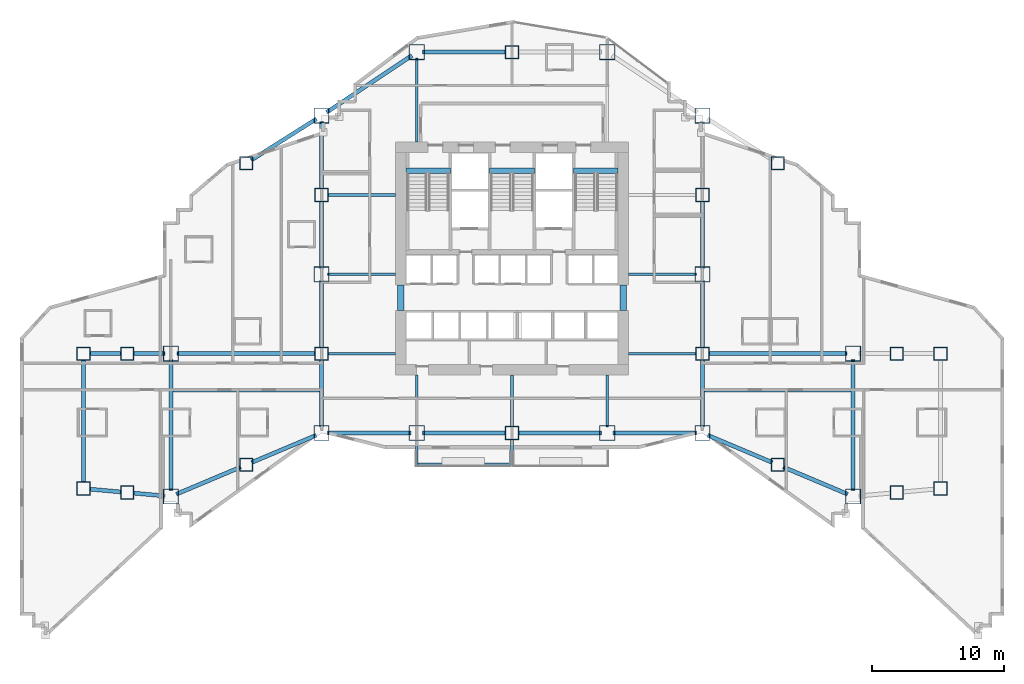
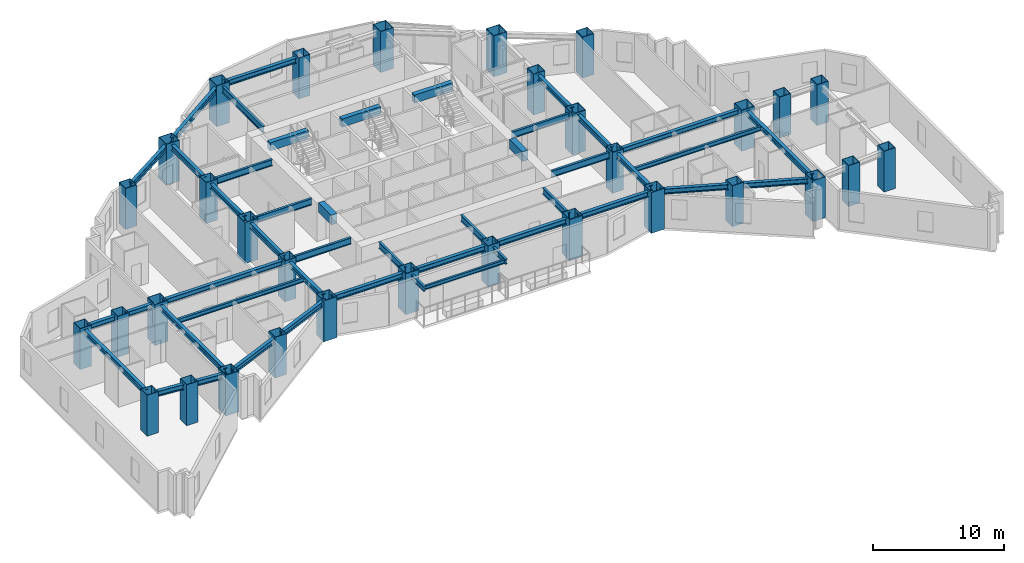
# One storey, part 1 of 16: 46 beams, 32 columns.
"""IFC4 building model written with IfcOpenShell, lengths in metres."""

from ifc_helpers import new_model, si_unit, direction, frame, origin, origin_2d, place, context, subcontext, project, spatial, rectangle, hollow_rectangle, i_section, extrude, material, material_profile, profile_set, type_object, element, save


model = new_model("IFC4")

# Units and contexts
model_context = context("Model", 3, precision=1e-05, world=origin(), true_north=direction((0.0, 1.0)))
body_context = subcontext(model_context, "Body", "Model", "MODEL_VIEW")
ifc_project = project(units=[si_unit("LENGTHUNIT", "METRE"), si_unit("AREAUNIT", "SQUARE_METRE"), si_unit("VOLUMEUNIT", "CUBIC_METRE"), si_unit("PLANEANGLEUNIT", "RADIAN"), si_unit("MASSUNIT", "GRAM", prefix="KILO")], contexts=[model_context])

# Site, building, storey
site_placement = place(None, origin())
site = spatial("IfcSite", under=ifc_project, at=site_placement, CompositionType="ELEMENT")
building_placement = place(site_placement, origin())
building = spatial("IfcBuilding", under=site, at=building_placement, Name="Haolan Belvedere Tower", CompositionType="ELEMENT")
storey_placement = place(building_placement, frame((0.0, 0.0, 74.199951171875)))
storey = spatial("IfcBuildingStorey", under=building, at=storey_placement, Name="L18", CompositionType="ELEMENT", Elevation=74.199951171875)

# Columns
ifc_material_1 = material(Name="Steel Q420GJC", Category="steel")
ifc_material_profile_1 = material_profile(ifc_material_1, hollow_rectangle(XDim=1.0, YDim=1.0, WallThickness=0.0380859375, at=origin_2d()), Name="Steel Q420GJC")
ifc_profile_set_1 = profile_set([ifc_material_profile_1], Name="Steel Q420GJC")
column_type_1 = type_object("IfcColumnType", Name="COL-BOX1000x1000x38", PredefinedType="COLUMN", material=ifc_profile_set_1)
for number, where, z_axis, x_axis, name in (
    (1, (6.0, 17.39990234375, 0.0), (0.0, 0.0, 1.0), (1.0, 0.0, 0.0), "L18 column MC-T1-SW (BOX1000x1000x38)"),
    (2, (6.0, 27.60009765625, 0.0), (0.0, 0.0, 1.0), (1.0, 0.0, 0.0), "L18 column MC-T1-NW (BOX1000x1000x38)"),
    (3, (70.800048828125, 17.39990234375, 0.0), (0.0, 0.0, 1.0), (1.0, 0.0, 0.0), "L18 column MC-T5-SE (BOX1000x1000x38)"),
    (4, (70.800048828125, 27.60009765625, 0.0), (0.0, 0.0, 1.0), (1.0, 0.0, 0.0), "L18 column MC-T5-NE (BOX1000x1000x38)"),
    (5, (24.0, 27.60009765625, 0.0), (0.0, 0.0, 1.0), (1.0, 0.0, 0.0), "L18 column TC-T3-W1 (BOX1000x1000x38)"),
    (6, (24.0, 39.60009765625, 0.0), (0.0, 0.0, 1.0), (1.0, 0.0, 0.0), "L18 column TC-T3-W2 (BOX1000x1000x38)"),
    (7, (52.800048828125, 27.60009765625, 0.0), (0.0, 0.0, 1.0), (1.0, 0.0, 0.0), "L18 column TC-T3-E1 (BOX1000x1000x38)"),
    (8, (52.800048828125, 39.60009765625, 0.0), (0.0, 0.0, 1.0), (1.0, 0.0, 0.0), "L18 column TC-T3-E2 (BOX1000x1000x38)"),
    (9, (38.39990234375, 21.60009765625, 0.0), (0.0, 0.0, 1.0), (1.0, 0.0, 0.0), "L18 column TC-T3-SM (BOX1000x1000x38)"),
    (10, (38.39990234375, 50.39990234375, 0.0), (0.0, 0.0, 1.0), (1.0, 0.0, 0.0), "L18 column TC-T3-NM (BOX1000x1000x38)"),
    (11, (18.300048828125, 19.199951171875, 0.0), (0.0, 0.0, 1.0), (1.0, 0.0, 0.0), "L18 column TC-T2-S1 (BOX1000x1000x38)"),
    (12, (18.300048828125, 42.0, 0.0), (0.0, 0.0, 1.0), (1.0, 0.0, 0.0), "L18 column TC-T2-N1 (BOX1000x1000x38)"),
    (13, (58.5, 19.199951171875, 0.0), (0.0, 0.0, 1.0), (1.0, 0.0, 0.0), "L18 column TC-T4-S1 (BOX1000x1000x38)"),
    (14, (58.5, 42.0, 0.0), (0.0, 0.0, 1.0), (1.0, 0.0, 0.0), "L18 column TC-T4-N1 (BOX1000x1000x38)"),
    (15, (9.300048828125, 17.10009765625, 0.0), (0.0, 0.0, 1.0), (1.0, 0.0, 0.0), "L18 column TC-T1-M1 (BOX1000x1000x38)"),
    (16, (9.300048828125, 27.60009765625, 0.0), (0.0, 0.0, 1.0), (1.0, 0.0, 0.0), "L18 column TC-T1-M2 (BOX1000x1000x38)"),
    (17, (67.5, 17.10009765625, 0.0), (0.0, 0.0, 1.0), (1.0, 0.0, 0.0), "L18 column TC-T5-M1 (BOX1000x1000x38)"),
    (18, (67.5, 27.60009765625, 0.0), (0.0, 0.0, 1.0), (1.0, 0.0, 0.0), "L18 column TC-T5-M2 (BOX1000x1000x38)"),
):
    element("IfcColumn", number, at=place(storey_placement, frame(where, z_axis=z_axis, x_axis=x_axis)), inside=storey, type_object=column_type_1, Name=name, PredefinedType="COLUMN", context=body_context, shape_type="SweptSolid", body=[
        extrude(hollow_rectangle(XDim=1.0, YDim=1.0, WallThickness=0.0380859375, at=origin_2d()), origin(), (0.0, 0.0, 1.0), 3.800048828125),
    ])
ifc_material_2 = material(Name="Steel Q355B", Category="steel")
ifc_material_profile_2 = material_profile(ifc_material_2, hollow_rectangle(XDim=1.14990234375, YDim=1.14990234375, WallThickness=0.0419921875, at=origin_2d()), Name="Steel Q355B")
ifc_profile_set_2 = profile_set([ifc_material_profile_2], Name="Steel Q355B")
column_type_2 = type_object("IfcColumnType", Name="COL-BOX1150x1150x42", PredefinedType="COLUMN", material=ifc_profile_set_2)
for number, where, z_axis, x_axis, name in (
    (19, (24.0, 21.60009765625, 0.0), (0.0, 0.0, 1.0), (1.0, 0.0, 0.0), "L18 column MC-T3-SW (BOX1150x1150x42)"),
    (20, (24.0, 33.60009765625, 0.0), (0.0, 0.0, 1.0), (1.0, 0.0, 0.0), "L18 column MC-T3-MW (BOX1150x1150x42)"),
    (21, (24.0, 45.60009765625, 0.0), (0.0, 0.0, 1.0), (1.0, 0.0, 0.0), "L18 column MC-T3-NW (BOX1150x1150x42)"),
    (22, (52.800048828125, 21.60009765625, 0.0), (0.0, 0.0, 1.0), (1.0, 0.0, 0.0), "L18 column MC-T3-SE (BOX1150x1150x42)"),
    (23, (52.800048828125, 33.60009765625, 0.0), (0.0, 0.0, 1.0), (1.0, 0.0, 0.0), "L18 column MC-T3-ME (BOX1150x1150x42)"),
    (24, (52.800048828125, 45.60009765625, 0.0), (0.0, 0.0, 1.0), (1.0, 0.0, 0.0), "L18 column MC-T3-NE (BOX1150x1150x42)"),
    (25, (31.199951171875, 21.60009765625, 0.0), (0.0, 0.0, 1.0), (1.0, 0.0, 0.0), "L18 column MC-T3-S1 (BOX1150x1150x42)"),
    (26, (45.60009765625, 21.60009765625, 0.0), (0.0, 0.0, 1.0), (1.0, 0.0, 0.0), "L18 column MC-T3-S2 (BOX1150x1150x42)"),
    (27, (31.199951171875, 50.39990234375, 0.0), (0.0, 0.0, 1.0), (1.0, 0.0, 0.0), "L18 column MC-T3-N1 (BOX1150x1150x42)"),
    (28, (45.60009765625, 50.39990234375, 0.0), (0.0, 0.0, 1.0), (1.0, 0.0, 0.0), "L18 column MC-T3-N2 (BOX1150x1150x42)"),
    (29, (12.60009765625, 16.800048828125, 0.0), (0.0, 0.0, 1.0), (1.0, 0.0, 0.0), "L18 column MC-T2-SW (BOX1150x1150x42)"),
    (30, (12.60009765625, 27.60009765625, 0.0), (0.0, 0.0, 1.0), (1.0, 0.0, 0.0), "L18 column MC-T2-MW (BOX1150x1150x42)"),
    (31, (64.199951171875, 16.800048828125, 0.0), (0.0, 0.0, 1.0), (1.0, 0.0, 0.0), "L18 column MC-T4-SE (BOX1150x1150x42)"),
    (32, (64.199951171875, 27.60009765625, 0.0), (0.0, 0.0, 1.0), (1.0, 0.0, 0.0), "L18 column MC-T4-ME (BOX1150x1150x42)"),
):
    element("IfcColumn", number, at=place(storey_placement, frame(where, z_axis=z_axis, x_axis=x_axis)), inside=storey, type_object=column_type_2, Name=name, PredefinedType="COLUMN", context=body_context, shape_type="SweptSolid", body=[
        extrude(hollow_rectangle(XDim=1.14990234375, YDim=1.14990234375, WallThickness=0.0419921875, at=origin_2d()), origin(), (0.0, 0.0, 1.0), 3.800048828125),
    ])

# Beams
ifc_material_profile_3 = material_profile(ifc_material_2, i_section(OverallWidth=0.300048828125, OverallDepth=0.488037109375, WebThickness=0.010986328125, FlangeThickness=0.01806640625, FilletRadius=0.02587890625, at=origin_2d()), Name="Steel Q355B")
ifc_profile_set_3 = profile_set([ifc_material_profile_3], Name="Steel Q355B")
beam_type_1 = type_object("IfcBeamType", Name="BM-HM488x300x11x18", PredefinedType="SPANDREL", material=ifc_profile_set_3)
for number, where, z_axis, x_axis, name in (
    (33, (24.0, 22.050048828125, 3.35595703125), (0.0, 1.0, 0.0), (-1.0, 0.0, 0.0), "L18 spandrel girder MC-T3-SW-TC-T3-W1"),
    (34, (24.0, 28.050048828125, 3.35595703125), (0.0, 1.0, 0.0), (-1.0, 0.0, 0.0), "L18 spandrel girder TC-T3-W1-MC-T3-MW"),
    (35, (24.0, 34.050048828125, 3.35595703125), (0.0, 1.0, 0.0), (-1.0, 0.0, 0.0), "L18 spandrel girder MC-T3-MW-TC-T3-W2"),
    (36, (24.0, 40.050048828125, 3.35595703125), (0.0, 1.0, 0.0), (-1.0, 0.0, 0.0), "L18 spandrel girder TC-T3-W2-MC-T3-NW"),
    (37, (52.800048828125, 22.050048828125, 3.35595703125), (0.0, 1.0, 0.0), (-1.0, 0.0, 0.0), "L18 spandrel girder MC-T3-SE-TC-T3-E1"),
    (38, (52.800048828125, 28.050048828125, 3.35595703125), (0.0, 1.0, 0.0), (-1.0, 0.0, 0.0), "L18 spandrel girder TC-T3-E1-MC-T3-ME"),
    (39, (52.800048828125, 34.050048828125, 3.35595703125), (0.0, 1.0, 0.0), (-1.0, 0.0, 0.0), "L18 spandrel girder MC-T3-ME-TC-T3-E2"),
):
    element("IfcBeam", number, at=place(storey_placement, frame(where, z_axis=z_axis, x_axis=x_axis)), inside=storey, type_object=beam_type_1, Name=name, PredefinedType="SPANDREL", context=body_context, shape_type="SweptSolid", body=[
        extrude(i_section(OverallWidth=0.300048828125, OverallDepth=0.488037109375, WebThickness=0.010986328125, FlangeThickness=0.01806640625, FilletRadius=0.02587890625, at=origin_2d()), origin(), (0.0, 0.0, 1.0), 5.099853515625),
    ])
for number, where, z_axis, x_axis, name in (
    (40, (24.449951171875, 21.60009765625, 3.35595703125), (1.0, 0.0, 0.0), (0.0, 1.0, 0.0), "L18 spandrel girder MC-T3-SW-MC-T3-S1"),
    (41, (31.64990234375, 21.60009765625, 3.35595703125), (1.0, 0.0, 0.0), (0.0, 1.0, 0.0), "L18 spandrel girder MC-T3-S1-TC-T3-SM"),
):
    element("IfcBeam", number, at=place(storey_placement, frame(where, z_axis=z_axis, x_axis=x_axis)), inside=storey, type_object=beam_type_1, Name=name, PredefinedType="SPANDREL", context=body_context, shape_type="SweptSolid", body=[
        extrude(i_section(OverallWidth=0.300048828125, OverallDepth=0.488037109375, WebThickness=0.010986328125, FlangeThickness=0.01806640625, FilletRadius=0.02587890625, at=origin_2d()), origin(), (0.0, 0.0, 1.0), 6.300048828125),
    ])
beam_1_placement = place(storey_placement, frame((38.85009765625, 21.60009765625, 3.35595703125), z_axis=(1.0, 0.0, 0.0), x_axis=(0.0, 1.0, 0.0)))
element("IfcBeam", 42, at=beam_1_placement, inside=storey, type_object=beam_type_1, Name="L18 spandrel girder TC-T3-SM-MC-T3-S2", PredefinedType="SPANDREL", context=body_context, shape_type="SweptSolid", body=[
    extrude(i_section(OverallWidth=0.300048828125, OverallDepth=0.488037109375, WebThickness=0.010986328125, FlangeThickness=0.01806640625, FilletRadius=0.02587890625, at=origin_2d()), origin(), (0.0, 0.0, 1.0), 6.2998046875),
])
beam_2_placement = place(storey_placement, frame((46.050048828125, 21.60009765625, 3.35595703125), z_axis=(1.0, 0.0, 0.0), x_axis=(0.0, 1.0, 0.0)))
element("IfcBeam", 43, at=beam_2_placement, inside=storey, type_object=beam_type_1, Name="L18 spandrel girder MC-T3-S2-MC-T3-SE", PredefinedType="SPANDREL", context=body_context, shape_type="SweptSolid", body=[
    extrude(i_section(OverallWidth=0.300048828125, OverallDepth=0.488037109375, WebThickness=0.010986328125, FlangeThickness=0.01806640625, FilletRadius=0.02587890625, at=origin_2d()), origin(), (0.0, 0.0, 1.0), 6.300048828125),
])
beam_3_placement = place(storey_placement, frame((24.37451171875, 45.849609375, 3.35595703125), z_axis=(0.832050294338, 0.554700196225, 0.0), x_axis=(-0.554700196225, 0.832050294338, 0.0)))
element("IfcBeam", 44, at=beam_3_placement, inside=storey, type_object=beam_type_1, Name="L18 spandrel girder MC-T3-NW-MC-T3-N1", PredefinedType="SPANDREL", context=body_context, shape_type="SweptSolid", body=[
    extrude(i_section(OverallWidth=0.300048828125, OverallDepth=0.488037109375, WebThickness=0.010986328125, FlangeThickness=0.01806640625, FilletRadius=0.02587890625, at=origin_2d()), origin(), (0.0, 0.0, 1.0), 7.75341796875),
])
beam_4_placement = place(storey_placement, frame((31.64990234375, 50.39990234375, 3.35595703125), z_axis=(1.0, 0.0, 0.0), x_axis=(0.0, 1.0, 0.0)))
element("IfcBeam", 45, at=beam_4_placement, inside=storey, type_object=beam_type_1, Name="L18 spandrel girder MC-T3-N1-TC-T3-NM", PredefinedType="SPANDREL", context=body_context, shape_type="SweptSolid", body=[
    extrude(i_section(OverallWidth=0.300048828125, OverallDepth=0.488037109375, WebThickness=0.010986328125, FlangeThickness=0.01806640625, FilletRadius=0.02587890625, at=origin_2d()), origin(), (0.0, 0.0, 1.0), 6.300048828125),
])
beam_5_placement = place(storey_placement, frame((12.60009765625, 17.25, 3.35595703125), z_axis=(0.0, 1.0, 0.0), x_axis=(-1.0, 0.0, 0.0)))
element("IfcBeam", 46, at=beam_5_placement, inside=storey, type_object=beam_type_1, Name="L18 spandrel girder MC-T2-SW-MC-T2-MW", PredefinedType="SPANDREL", context=body_context, shape_type="SweptSolid", body=[
    extrude(i_section(OverallWidth=0.300048828125, OverallDepth=0.488037109375, WebThickness=0.010986328125, FlangeThickness=0.01806640625, FilletRadius=0.02587890625, at=origin_2d()), origin(), (0.0, 0.0, 1.0), 9.89990234375),
])
beam_6_placement = place(storey_placement, frame((13.0146484375, 16.974609375, 3.35595703125), z_axis=(0.921635375138, 0.388057000058, 0.0), x_axis=(-0.388057000058, 0.921635375138, 0.0)))
element("IfcBeam", 47, at=beam_6_placement, inside=storey, type_object=beam_type_1, Name="L18 spandrel girder MC-T2-SW-TC-T2-S1", PredefinedType="SPANDREL", context=body_context, shape_type="SweptSolid", body=[
    extrude(i_section(OverallWidth=0.300048828125, OverallDepth=0.488037109375, WebThickness=0.010986328125, FlangeThickness=0.01806640625, FilletRadius=0.02587890625, at=origin_2d()), origin(), (0.0, 0.0, 1.0), 5.28466796875),
])
beam_7_placement = place(storey_placement, frame((18.71484375, 19.37451171875, 3.35595703125), z_axis=(0.92162841793, 0.388073523014, 0.0), x_axis=(-0.388073523014, 0.92162841793, 0.0)))
element("IfcBeam", 48, at=beam_7_placement, inside=storey, type_object=beam_type_1, Name="L18 spandrel girder TC-T2-S1-MC-T3-SW", PredefinedType="SPANDREL", context=body_context, shape_type="SweptSolid", body=[
    extrude(i_section(OverallWidth=0.300048828125, OverallDepth=0.488037109375, WebThickness=0.010986328125, FlangeThickness=0.01806640625, FilletRadius=0.02587890625, at=origin_2d()), origin(), (0.0, 0.0, 1.0), 5.284423828125),
])
beam_8_placement = place(storey_placement, frame((18.680419921875, 42.240234375, 3.35595703125), z_axis=(0.845497840649, 0.533978839898, 0.0), x_axis=(-0.533978839898, 0.845497840649, 0.0)))
element("IfcBeam", 49, at=beam_8_placement, inside=storey, type_object=beam_type_1, Name="L18 spandrel girder TC-T2-N1-MC-T3-NW", PredefinedType="SPANDREL", context=body_context, shape_type="SweptSolid", body=[
    extrude(i_section(OverallWidth=0.300048828125, OverallDepth=0.488037109375, WebThickness=0.010986328125, FlangeThickness=0.01806640625, FilletRadius=0.02587890625, at=origin_2d()), origin(), (0.0, 0.0, 1.0), 5.841796875),
])
beam_9_placement = place(storey_placement, frame((13.050048828125, 27.60009765625, 3.35595703125), z_axis=(1.0, 0.0, 0.0), x_axis=(0.0, 1.0, 0.0)))
element("IfcBeam", 50, at=beam_9_placement, inside=storey, type_object=beam_type_1, Name="L18 spandrel girder MC-T2-MW-TC-T3-W1", PredefinedType="SPANDREL", context=body_context, shape_type="SweptSolid", body=[
    extrude(i_section(OverallWidth=0.300048828125, OverallDepth=0.488037109375, WebThickness=0.010986328125, FlangeThickness=0.01806640625, FilletRadius=0.02587890625, at=origin_2d()), origin(), (0.0, 0.0, 1.0), 10.5),
])
beam_10_placement = place(storey_placement, frame((64.199951171875, 17.25, 3.35595703125), z_axis=(0.0, 1.0, 0.0), x_axis=(-1.0, 0.0, 0.0)))
element("IfcBeam", 51, at=beam_10_placement, inside=storey, type_object=beam_type_1, Name="L18 spandrel girder MC-T4-SE-MC-T4-ME", PredefinedType="SPANDREL", context=body_context, shape_type="SweptSolid", body=[
    extrude(i_section(OverallWidth=0.300048828125, OverallDepth=0.488037109375, WebThickness=0.010986328125, FlangeThickness=0.01806640625, FilletRadius=0.02587890625, at=origin_2d()), origin(), (0.0, 0.0, 1.0), 9.89990234375),
])
for number, where, z_axis, x_axis, name in (
    (52, (53.21484375, 21.42529296875, 3.35595703125), (0.92162841793, -0.388073523014, 0.0), (0.388073523014, 0.92162841793, 0.0), "L18 spandrel girder MC-T3-SE-TC-T4-S1"),
    (53, (58.914794921875, 19.025390625, 3.35595703125), (0.92162841793, -0.388073523014, 0.0), (0.388073523014, 0.92162841793, 0.0), "L18 spandrel girder TC-T4-S1-MC-T4-SE"),
):
    element("IfcBeam", number, at=place(storey_placement, frame(where, z_axis=z_axis, x_axis=x_axis)), inside=storey, type_object=beam_type_1, Name=name, PredefinedType="SPANDREL", context=body_context, shape_type="SweptSolid", body=[
        extrude(i_section(OverallWidth=0.300048828125, OverallDepth=0.488037109375, WebThickness=0.010986328125, FlangeThickness=0.01806640625, FilletRadius=0.02587890625, at=origin_2d()), origin(), (0.0, 0.0, 1.0), 5.284423828125),
    ])
beam_11_placement = place(storey_placement, frame((53.25, 27.60009765625, 3.35595703125), z_axis=(1.0, 0.0, 0.0), x_axis=(0.0, 1.0, 0.0)))
element("IfcBeam", 54, at=beam_11_placement, inside=storey, type_object=beam_type_1, Name="L18 spandrel girder TC-T3-E1-MC-T4-ME", PredefinedType="SPANDREL", context=body_context, shape_type="SweptSolid", body=[
    extrude(i_section(OverallWidth=0.300048828125, OverallDepth=0.488037109375, WebThickness=0.010986328125, FlangeThickness=0.01806640625, FilletRadius=0.02587890625, at=origin_2d()), origin(), (0.0, 0.0, 1.0), 10.5),
])
beam_12_placement = place(storey_placement, frame((6.0, 17.85009765625, 3.35595703125), z_axis=(0.0, 1.0, 0.0), x_axis=(-1.0, 0.0, 0.0)))
element("IfcBeam", 55, at=beam_12_placement, inside=storey, type_object=beam_type_1, Name="L18 spandrel girder MC-T1-SW-MC-T1-NW", PredefinedType="SPANDREL", context=body_context, shape_type="SweptSolid", body=[
    extrude(i_section(OverallWidth=0.300048828125, OverallDepth=0.488037109375, WebThickness=0.010986328125, FlangeThickness=0.01806640625, FilletRadius=0.02587890625, at=origin_2d()), origin(), (0.0, 0.0, 1.0), 9.2998046875),
])
beam_13_placement = place(storey_placement, frame((6.4482421875, 17.359375, 3.35595703125), z_axis=(0.995884080761, -0.090636072764, 0.0), x_axis=(0.090636072764, 0.995884080761, 0.0)))
element("IfcBeam", 56, at=beam_13_placement, inside=storey, type_object=beam_type_1, Name="L18 spandrel girder MC-T1-SW-TC-T1-M1", PredefinedType="SPANDREL", context=body_context, shape_type="SweptSolid", body=[
    extrude(i_section(OverallWidth=0.300048828125, OverallDepth=0.488037109375, WebThickness=0.010986328125, FlangeThickness=0.01806640625, FilletRadius=0.02587890625, at=origin_2d()), origin(), (0.0, 0.0, 1.0), 2.41357421875),
])
beam_14_placement = place(storey_placement, frame((9.748046875, 17.059326171875, 3.35595703125), z_axis=(0.9958940355, -0.090526626221, 0.0), x_axis=(0.090526626221, 0.9958940355, 0.0)))
element("IfcBeam", 57, at=beam_14_placement, inside=storey, type_object=beam_type_1, Name="L18 spandrel girder TC-T1-M1-MC-T2-SW", PredefinedType="SPANDREL", context=body_context, shape_type="SweptSolid", body=[
    extrude(i_section(OverallWidth=0.300048828125, OverallDepth=0.488037109375, WebThickness=0.010986328125, FlangeThickness=0.01806640625, FilletRadius=0.02587890625, at=origin_2d()), origin(), (0.0, 0.0, 1.0), 2.413818359375),
])
beam_15_placement = place(storey_placement, frame((6.449951171875, 27.60009765625, 3.35595703125), z_axis=(1.0, 0.0, 0.0), x_axis=(0.0, 1.0, 0.0)))
element("IfcBeam", 58, at=beam_15_placement, inside=storey, type_object=beam_type_1, Name="L18 spandrel girder MC-T1-NW-TC-T1-M2", PredefinedType="SPANDREL", context=body_context, shape_type="SweptSolid", body=[
    extrude(i_section(OverallWidth=0.300048828125, OverallDepth=0.488037109375, WebThickness=0.010986328125, FlangeThickness=0.01806640625, FilletRadius=0.02587890625, at=origin_2d()), origin(), (0.0, 0.0, 1.0), 2.400146484375),
])
beam_16_placement = place(storey_placement, frame((9.75, 27.60009765625, 3.35595703125), z_axis=(1.0, 0.0, 0.0), x_axis=(0.0, 1.0, 0.0)))
element("IfcBeam", 59, at=beam_16_placement, inside=storey, type_object=beam_type_1, Name="L18 spandrel girder TC-T1-M2-MC-T2-MW", PredefinedType="SPANDREL", context=body_context, shape_type="SweptSolid", body=[
    extrude(i_section(OverallWidth=0.300048828125, OverallDepth=0.488037109375, WebThickness=0.010986328125, FlangeThickness=0.01806640625, FilletRadius=0.02587890625, at=origin_2d()), origin(), (0.0, 0.0, 1.0), 2.39990234375),
])
ifc_material_profile_4 = material_profile(ifc_material_2, i_section(OverallWidth=0.175048828125, OverallDepth=0.35009765625, WebThickness=0.007080078125, FlangeThickness=0.010986328125, FilletRadius=0.012939453125, at=origin_2d()), Name="Steel Q355B")
ifc_profile_set_4 = profile_set([ifc_material_profile_4], Name="Steel Q355B")
beam_type_2 = type_object("IfcBeamType", Name="BM-HN350x175x7x11", PredefinedType="JOIST", material=ifc_profile_set_4)
beam_17_placement = place(storey_placement, frame((31.300048828125, 19.239990234375, 3.39501953125), z_axis=(1.0, 0.0, 0.0), x_axis=(0.0, 1.0, 0.0)))
element("IfcBeam", 60, at=beam_17_placement, inside=storey, type_object=beam_type_2, Name="L19 tree-balcony front trimmer beam 1", PredefinedType="BEAM", context=body_context, shape_type="SweptSolid", body=[
    extrude(i_section(OverallWidth=0.175048828125, OverallDepth=0.35009765625, WebThickness=0.007080078125, FlangeThickness=0.010986328125, FilletRadius=0.012939453125, at=origin_2d()), origin(), (0.0, 0.0, 1.0), 7.0),
])
ifc_material_profile_5 = material_profile(ifc_material_2, i_section(OverallWidth=0.199951171875, OverallDepth=0.39990234375, WebThickness=0.008056640625, FlangeThickness=0.012939453125, FilletRadius=0.01611328125, at=origin_2d()), Name="Steel Q355B")
ifc_profile_set_5 = profile_set([ifc_material_profile_5], Name="Steel Q355B")
beam_type_3 = type_object("IfcBeamType", Name="BM-HN400x200x8x13", PredefinedType="JOIST", material=ifc_profile_set_5)
for number, where, z_axis, x_axis, name in (
    (61, (12.75, 24.800048828125, 3.400146484375), (1.0, 0.0, 0.0), (0.0, 1.0, 0.0), "L18 west wing floor joist 1"),
    (62, (52.949951171875, 24.800048828125, 3.400146484375), (1.0, 0.0, 0.0), (0.0, 1.0, 0.0), "L18 east wing floor joist 1"),
):
    element("IfcBeam", number, at=place(storey_placement, frame(where, z_axis=z_axis, x_axis=x_axis)), inside=storey, type_object=beam_type_3, Name=name, PredefinedType="JOIST", context=body_context, shape_type="SweptSolid", body=[
        extrude(i_section(OverallWidth=0.199951171875, OverallDepth=0.39990234375, WebThickness=0.008056640625, FlangeThickness=0.012939453125, FilletRadius=0.01611328125, at=origin_2d()), origin(), (0.0, 0.0, 1.0), 11.10009765625),
    ])
ifc_material_profile_6 = material_profile(ifc_material_2, i_section(OverallWidth=0.199951171875, OverallDepth=0.449951171875, WebThickness=0.009033203125, FlangeThickness=0.013916015625, FilletRadius=0.01611328125, at=origin_2d()), Name="Steel Q355B")
ifc_profile_set_6 = profile_set([ifc_material_profile_6], Name="Steel Q355B")
beam_type_4 = type_object("IfcBeamType", Name="BM-HN450x200x9x14", PredefinedType="BEAM", material=ifc_profile_set_6)
beam_18_placement = place(storey_placement, frame((31.199951171875, 21.02490234375, 3.344970703125), z_axis=(0.0, -1.0, 0.0), x_axis=(1.0, 0.0, 0.0)))
element("IfcBeam", 63, at=beam_18_placement, inside=storey, type_object=beam_type_4, Name="L19 tree-balcony column cantilever MC-T3-S1", PredefinedType="BEAM", context=body_context, shape_type="SweptSolid", body=[
    extrude(i_section(OverallWidth=0.199951171875, OverallDepth=0.449951171875, WebThickness=0.009033203125, FlangeThickness=0.013916015625, FilletRadius=0.01611328125, at=origin_2d()), origin(), (0.0, 0.0, 1.0), 1.885009765625),
])
beam_19_placement = place(storey_placement, frame((38.39990234375, 21.10009765625, 3.344970703125), z_axis=(0.0, -1.0, 0.0), x_axis=(1.0, 0.0, 0.0)))
element("IfcBeam", 64, at=beam_19_placement, inside=storey, type_object=beam_type_4, Name="L19 tree-balcony column cantilever TC-T3-SM", PredefinedType="BEAM", context=body_context, shape_type="SweptSolid", body=[
    extrude(i_section(OverallWidth=0.199951171875, OverallDepth=0.449951171875, WebThickness=0.009033203125, FlangeThickness=0.013916015625, FilletRadius=0.01611328125, at=origin_2d()), origin(), (0.0, 0.0, 1.0), 1.960205078125),
])
ifc_material_profile_7 = material_profile(ifc_material_2, i_section(OverallWidth=0.199951171875, OverallDepth=0.60009765625, WebThickness=0.010986328125, FlangeThickness=0.01708984375, FilletRadius=0.02197265625, at=origin_2d()), Name="Steel Q355B")
ifc_profile_set_7 = profile_set([ifc_material_profile_7], Name="Steel Q355B")
beam_type_5 = type_object("IfcBeamType", Name="BM-HN600x200x11x17", PredefinedType="BEAM", material=ifc_profile_set_7)
for number, where, z_axis, x_axis, name in (
    (65, (24.449951171875, 33.60009765625, 3.300048828125), (1.0, 0.0, 0.0), (0.0, 1.0, 0.0), "L18 core tie beam from MC-T3-MW"),
    (66, (24.449951171875, 27.60009765625, 3.300048828125), (1.0, 0.0, 0.0), (0.0, 1.0, 0.0), "L18 core tie beam from TC-T3-W1"),
    (67, (24.449951171875, 39.60009765625, 3.300048828125), (1.0, 0.0, 0.0), (0.0, 1.0, 0.0), "L18 core tie beam from TC-T3-W2"),
    (68, (52.35009765625, 33.60009765625, 3.300048828125), (-1.0, 0.0, 0.0), (0.0, -1.0, 0.0), "L18 core tie beam from MC-T3-ME"),
    (69, (52.35009765625, 27.60009765625, 3.300048828125), (-1.0, 0.0, 0.0), (0.0, -1.0, 0.0), "L18 core tie beam from TC-T3-E1"),
):
    element("IfcBeam", number, at=place(storey_placement, frame(where, z_axis=z_axis, x_axis=x_axis)), inside=storey, type_object=beam_type_5, Name=name, PredefinedType="BEAM", context=body_context, shape_type="SweptSolid", body=[
        extrude(i_section(OverallWidth=0.199951171875, OverallDepth=0.60009765625, WebThickness=0.010986328125, FlangeThickness=0.01708984375, FilletRadius=0.02197265625, at=origin_2d()), origin(), (0.0, 0.0, 1.0), 5.150146484375),
    ])
for number, where, z_axis, x_axis, name in (
    (70, (31.199951171875, 22.050048828125, 3.300048828125), (0.0, 1.0, 0.0), (-1.0, 0.0, 0.0), "L18 core tie beam from MC-T3-S1"),
    (71, (38.39990234375, 22.050048828125, 3.300048828125), (0.0, 1.0, 0.0), (-1.0, 0.0, 0.0), "L18 core tie beam from TC-T3-SM"),
    (72, (45.60009765625, 22.050048828125, 3.300048828125), (0.0, 1.0, 0.0), (-1.0, 0.0, 0.0), "L18 core tie beam from MC-T3-S2"),
):
    element("IfcBeam", number, at=place(storey_placement, frame(where, z_axis=z_axis, x_axis=x_axis)), inside=storey, type_object=beam_type_5, Name=name, PredefinedType="BEAM", context=body_context, shape_type="SweptSolid", body=[
        extrude(i_section(OverallWidth=0.199951171875, OverallDepth=0.60009765625, WebThickness=0.010986328125, FlangeThickness=0.01708984375, FilletRadius=0.02197265625, at=origin_2d()), origin(), (0.0, 0.0, 1.0), 3.949951171875),
    ])
beam_20_placement = place(storey_placement, frame((31.199951171875, 49.949951171875, 3.300048828125), z_axis=(0.0, -1.0, 0.0), x_axis=(1.0, 0.0, 0.0)))
element("IfcBeam", 73, at=beam_20_placement, inside=storey, type_object=beam_type_5, Name="L18 core tie beam from MC-T3-N1", PredefinedType="BEAM", context=body_context, shape_type="SweptSolid", body=[
    extrude(i_section(OverallWidth=0.199951171875, OverallDepth=0.60009765625, WebThickness=0.010986328125, FlangeThickness=0.01708984375, FilletRadius=0.02197265625, at=origin_2d()), origin(), (0.0, 0.0, 1.0), 6.349853515625),
])
ifc_material_3 = material(Name="Concrete C50/60", Category="concrete")
ifc_material_profile_8 = material_profile(ifc_material_3, rectangle(XDim=0.39990234375, YDim=0.75, at=origin_2d()), Name="Concrete C50/60")
ifc_profile_set_8 = profile_set([ifc_material_profile_8], Name="Concrete C50/60")
beam_type_6 = type_object("IfcBeamType", Name="BM-RC400x750", PredefinedType="T_BEAM", material=ifc_profile_set_8)
beam_21_placement = place(storey_placement, frame((30.3798828125, 41.429931640625, 3.425048828125), z_axis=(1.0, 0.0, 0.0), x_axis=(0.0, 1.0, 0.0)))
element("IfcBeam", 74, at=beam_21_placement, inside=storey, type_object=beam_type_6, Name="L19 stair ST1 RC header trimmer beam", PredefinedType="BEAM", context=body_context, shape_type="SweptSolid", body=[
    extrude(rectangle(XDim=0.39990234375, YDim=0.75, at=origin_2d()), origin(), (0.0, 0.0, 1.0), 3.360107421875),
])
beam_22_placement = place(storey_placement, frame((36.699951171875, 41.429931640625, 3.425048828125), z_axis=(1.0, 0.0, 0.0), x_axis=(0.0, 1.0, 0.0)))
element("IfcBeam", 75, at=beam_22_placement, inside=storey, type_object=beam_type_6, Name="L19 stair ST3 RC header trimmer beam", PredefinedType="BEAM", context=body_context, shape_type="SweptSolid", body=[
    extrude(rectangle(XDim=0.39990234375, YDim=0.75, at=origin_2d()), origin(), (0.0, 0.0, 1.0), 3.400146484375),
])
beam_23_placement = place(storey_placement, frame((43.06005859375, 41.429931640625, 3.425048828125), z_axis=(1.0, 0.0, 0.0), x_axis=(0.0, 1.0, 0.0)))
element("IfcBeam", 76, at=beam_23_placement, inside=storey, type_object=beam_type_6, Name="L19 stair ST2 RC header trimmer beam", PredefinedType="BEAM", context=body_context, shape_type="SweptSolid", body=[
    extrude(rectangle(XDim=0.39990234375, YDim=0.75, at=origin_2d()), origin(), (0.0, 0.0, 1.0), 3.35986328125),
])
ifc_material_4 = material(Name="Concrete C60/75", Category="concrete")
ifc_material_profile_9 = material_profile(ifc_material_4, rectangle(XDim=0.5, YDim=0.89990234375, at=origin_2d()), Name="Concrete C60/75")
ifc_profile_set_9 = profile_set([ifc_material_profile_9], Name="Concrete C60/75")
beam_type_7 = type_object("IfcBeamType", Name="BM-RC500x900", PredefinedType="LINTEL", material=ifc_profile_set_9)
for number, where, z_axis, x_axis, name in (
    (77, (30.0, 30.85009765625, 3.150146484375), (0.0, 1.0, 0.0), (-1.0, 0.0, 0.0), "L18 west core coupling beam CB-01"),
    (78, (46.800048828125, 30.85009765625, 3.150146484375), (0.0, 1.0, 0.0), (-1.0, 0.0, 0.0), "L18 east core coupling beam CB-01"),
):
    element("IfcBeam", number, at=place(storey_placement, frame(where, z_axis=z_axis, x_axis=x_axis)), inside=storey, type_object=beam_type_7, Name=name, PredefinedType="LINTEL", context=body_context, shape_type="SweptSolid", body=[
        extrude(rectangle(XDim=0.5, YDim=0.89990234375, at=origin_2d()), origin(), (0.0, 0.0, 1.0), 1.949951171875),
    ])

save(model, "model.ifc")
